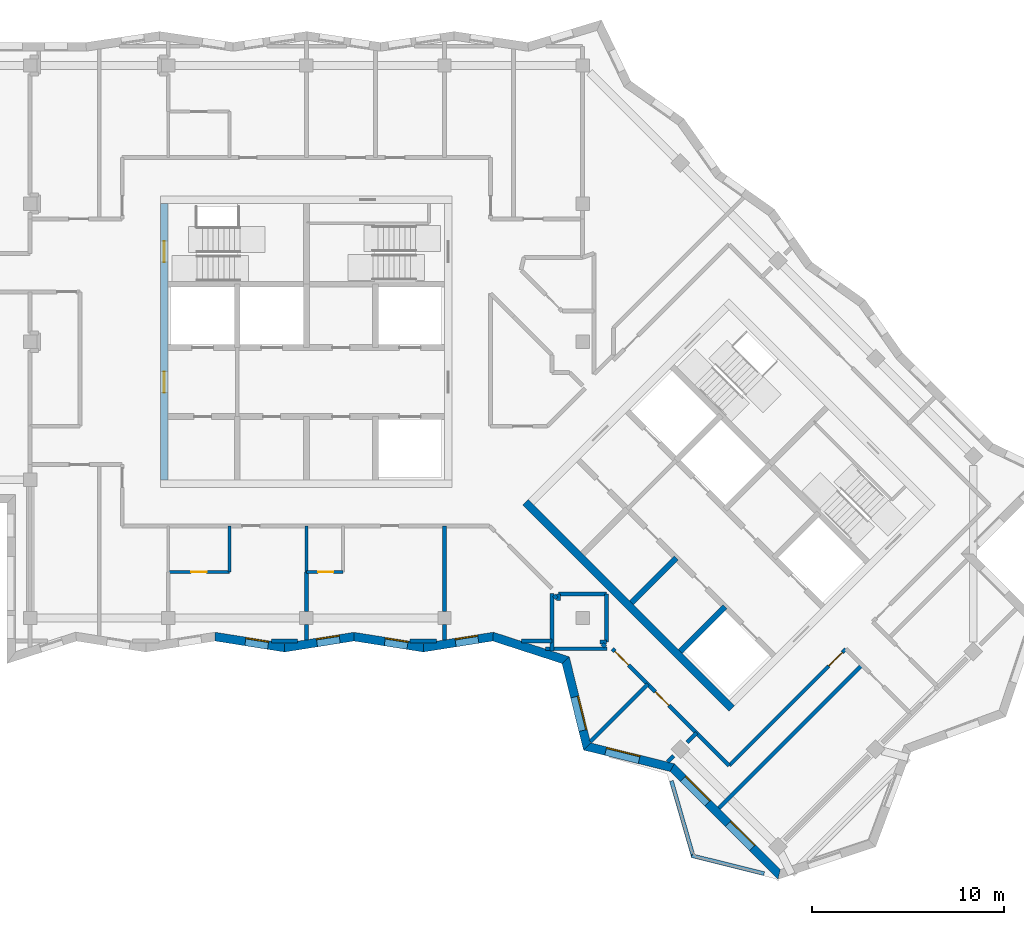
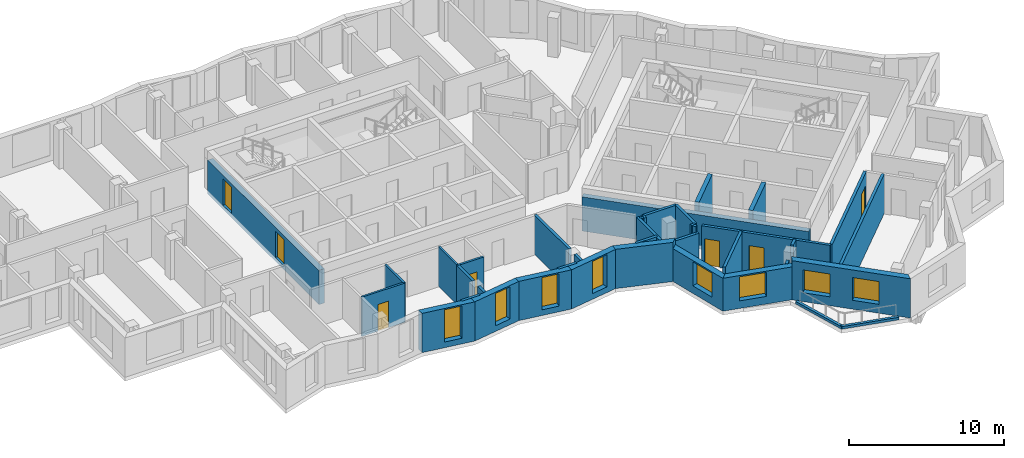
# One storey, part 3 of 12: 39 walls, 8 windows, 7 doors, 15 openings.
"""IFC4 building model written with IfcOpenShell, lengths in metres."""

from ifc_helpers import new_model, si_unit, direction, frame, frame_2d, origin, place, context, subcontext, project, spatial, polyline, rectangle, outline, extrude, material, layer, layer_set, type_object, element, fill, save


model = new_model("IFC4")

# Units and contexts
model_context = context("Model", 3, precision=1e-05, world=origin(), true_north=direction((0.0, 1.0)))
body_context = subcontext(model_context, "Body", "Model", "MODEL_VIEW")
ifc_project = project(units=[si_unit("LENGTHUNIT", "METRE"), si_unit("AREAUNIT", "SQUARE_METRE"), si_unit("VOLUMEUNIT", "CUBIC_METRE"), si_unit("PLANEANGLEUNIT", "RADIAN"), si_unit("MASSUNIT", "GRAM", prefix="KILO")], contexts=[model_context])

# Site, building, storey
site_placement = place(None, origin())
site = spatial("IfcSite", under=ifc_project, at=site_placement, CompositionType="ELEMENT")
building_placement = place(site_placement, origin())
building = spatial("IfcBuilding", under=site, at=building_placement, Name="Windrow Commons", CompositionType="ELEMENT")
storey_placement = place(building_placement, frame((0.0, 0.0, 274.4)))
storey = spatial("IfcBuildingStorey", under=building, at=storey_placement, Name="L75", CompositionType="ELEMENT", Elevation=274.4)

# Wall, opening, window
ifc_material_1 = material(Name="Brick masonry, red clay brick", Category="masonry")
ifc_layer_1 = layer(ifc_material_1, 0.45)
ifc_layer_set_1 = layer_set([ifc_layer_1], Name="Brick facade wall 450")
wall_type_1 = type_object("IfcWallType", Name="Brick facade wall 450", PredefinedType="SOLIDWALL", material=ifc_layer_set_1)
wall_1_placement = place(storey_placement, frame((60.048, 42.2278, 0.0), z_axis=(0.0, 0.0, 1.0), x_axis=(0.9877179637, -0.1562473175, 0.0)))
wall_1 = element("IfcWall", 1, at=wall_1_placement, inside=storey, type_object=wall_type_1, Name="Brick facade wall L75 39", PredefinedType="SOLIDWALL", context=body_context, shape_type="SweptSolid", body=[
    extrude(outline(polyline([(0.0356, -0.225), (3.6965, -0.225), (3.6254, 0.225), (-0.0356, 0.225), (0.0356, -0.225)])), origin(), (0.0, 0.0, 1.0), 3.1),
])
opening_1_placement = place(wall_1_placement, frame((1.5959, 0.0, 0.45)))
opening_1 = element("IfcOpeningElement", 2, at=opening_1_placement, cuts=wall_1, Name="Opening W7F", PredefinedType="OPENING", context=body_context, shape_type="SweptSolid", body=[
    extrude(rectangle(XDim=1.2, YDim=2.55, at=frame_2d((0.6, 1.275))), frame((0.0, 0.235, 0.0), z_axis=(0.0, -1.0, 0.0), x_axis=(1.0, 0.0, 0.0)), (0.0, 0.0, 1.0), 0.47),
])
ifc_material_2 = material(Name="Clear float glass in anodised aluminium frame", Category="aluminium")
window_type_1 = type_object("IfcWindowType", Name="Window W7 notch 1200x2550", PartitioningType="SINGLE_PANEL", PredefinedType="WINDOW", material=ifc_material_2)
window_1_placement = place(opening_1_placement, origin())
window_1 = element("IfcWindow", 3, at=window_1_placement, inside=storey, type_object=window_type_1, Name="Window L75 39.1", OverallHeight=2.55, OverallWidth=1.2, PartitioningType="SINGLE_PANEL", PredefinedType="WINDOW", context=body_context, shape_type="SweptSolid", body=[
    extrude(rectangle(XDim=1.2, YDim=2.55, at=frame_2d((0.6, 1.275))), frame((0.0, 0.205, 0.0), z_axis=(0.0, -1.0, 0.0), x_axis=(1.0, 0.0, 0.0)), (0.0, 0.0, 1.0), 0.06),
])
fill(opening_1, window_1)

wall_2_placement = place(storey_placement, frame((63.6639, 41.6558, 0.0), z_axis=(0.0, 0.0, 1.0), x_axis=(0.9877186305, 0.156243102, 0.0)))
wall_2 = element("IfcWall", 4, at=wall_2_placement, inside=storey, type_object=wall_type_1, Name="Brick facade wall L75 40", PredefinedType="SOLIDWALL", context=body_context, shape_type="SweptSolid", body=[
    extrude(outline(polyline([(-0.0356, -0.225), (3.6254, -0.225), (3.6965, 0.225), (0.0356, 0.225), (-0.0356, -0.225)])), origin(), (0.0, 0.0, 1.0), 3.1),
])
opening_2_placement = place(wall_2_placement, frame((1.7056, 0.0, 0.45)))
opening_2 = element("IfcOpeningElement", 5, at=opening_2_placement, cuts=wall_2, Name="Opening W7F", PredefinedType="OPENING", context=body_context, shape_type="SweptSolid", body=[
    extrude(rectangle(XDim=1.2, YDim=2.55, at=frame_2d((0.6, 1.275))), frame((0.0, 0.235, 0.0), z_axis=(0.0, -1.0, 0.0), x_axis=(1.0, 0.0, 0.0)), (0.0, 0.0, 1.0), 0.47),
])
window_2_placement = place(opening_2_placement, origin())
window_2 = element("IfcWindow", 6, at=window_2_placement, inside=storey, type_object=window_type_1, Name="Window L75 40.1", OverallHeight=2.55, OverallWidth=1.2, PartitioningType="SINGLE_PANEL", PredefinedType="WINDOW", context=body_context, shape_type="SweptSolid", body=[
    extrude(rectangle(XDim=1.2, YDim=2.55, at=frame_2d((0.6, 1.275))), frame((0.0, 0.205, 0.0), z_axis=(0.0, -1.0, 0.0), x_axis=(1.0, 0.0, 0.0)), (0.0, 0.0, 1.0), 0.06),
])
fill(opening_2, window_2)

wall_3_placement = place(storey_placement, frame((67.2799, 42.2278, 0.0), z_axis=(0.0, 0.0, 1.0), x_axis=(0.9877186305, -0.156243102, 0.0)))
wall_3 = element("IfcWall", 7, at=wall_3_placement, inside=storey, type_object=wall_type_1, Name="Brick facade wall L75 41", PredefinedType="SOLIDWALL", context=body_context, shape_type="SweptSolid", body=[
    extrude(outline(polyline([(0.0356, -0.225), (3.6965, -0.225), (3.6254, 0.225), (-0.0356, 0.225), (0.0356, -0.225)])), origin(), (0.0, 0.0, 1.0), 3.1),
])
opening_3_placement = place(wall_3_placement, frame((1.6297, 0.0, 0.45)))
opening_3 = element("IfcOpeningElement", 8, at=opening_3_placement, cuts=wall_3, Name="Opening W7F", PredefinedType="OPENING", context=body_context, shape_type="SweptSolid", body=[
    extrude(rectangle(XDim=1.2, YDim=2.55, at=frame_2d((0.6, 1.275))), frame((0.0, 0.235, 0.0), z_axis=(0.0, -1.0, 0.0), x_axis=(1.0, 0.0, 0.0)), (0.0, 0.0, 1.0), 0.47),
])
window_3_placement = place(opening_3_placement, origin())
window_3 = element("IfcWindow", 9, at=window_3_placement, inside=storey, type_object=window_type_1, Name="Window L75 41.1", OverallHeight=2.55, OverallWidth=1.2, PartitioningType="SINGLE_PANEL", PredefinedType="WINDOW", context=body_context, shape_type="SweptSolid", body=[
    extrude(rectangle(XDim=1.2, YDim=2.55, at=frame_2d((0.6, 1.275))), frame((0.0, 0.205, 0.0), z_axis=(0.0, -1.0, 0.0), x_axis=(1.0, 0.0, 0.0)), (0.0, 0.0, 1.0), 0.06),
])
fill(opening_3, window_3)

wall_4_placement = place(storey_placement, frame((70.8959, 41.6558, 0.0), z_axis=(0.0, 0.0, 1.0), x_axis=(0.9877170854, 0.1562528693, 0.0)))
wall_4 = element("IfcWall", 10, at=wall_4_placement, inside=storey, type_object=wall_type_1, Name="Brick facade wall L75 42", PredefinedType="SOLIDWALL", context=body_context, shape_type="SweptSolid", body=[
    extrude(outline(polyline([(-0.0356, -0.225), (3.6254, -0.225), (3.7332, 0.225), (0.0356, 0.225), (-0.0356, -0.225)])), origin(), (0.0, 0.0, 1.0), 3.1),
])
opening_4_placement = place(wall_4_placement, frame((1.6985, 0.0, 0.45)))
opening_4 = element("IfcOpeningElement", 11, at=opening_4_placement, cuts=wall_4, Name="Opening W7F", PredefinedType="OPENING", context=body_context, shape_type="SweptSolid", body=[
    extrude(rectangle(XDim=1.2, YDim=2.55, at=frame_2d((0.6, 1.275))), frame((0.0, 0.235, 0.0), z_axis=(0.0, -1.0, 0.0), x_axis=(1.0, 0.0, 0.0)), (0.0, 0.0, 1.0), 0.47),
])
window_4_placement = place(opening_4_placement, origin())
window_4 = element("IfcWindow", 12, at=window_4_placement, inside=storey, type_object=window_type_1, Name="Window L75 42.1", OverallHeight=2.55, OverallWidth=1.2, PartitioningType="SINGLE_PANEL", PredefinedType="WINDOW", context=body_context, shape_type="SweptSolid", body=[
    extrude(rectangle(XDim=1.2, YDim=2.55, at=frame_2d((0.6, 1.275))), frame((0.0, 0.205, 0.0), z_axis=(0.0, -1.0, 0.0), x_axis=(1.0, 0.0, 0.0)), (0.0, 0.0, 1.0), 0.06),
])
fill(opening_4, window_4)

# Wall
wall_5_placement = place(storey_placement, frame((74.53, 42.2307, 0.0), z_axis=(0.0, 0.0, 1.0), x_axis=(0.9512809881, -0.3083252855, 0.0)))
element("IfcWall", 13, at=wall_5_placement, inside=storey, type_object=wall_type_1, Name="Brick facade wall L75 43", PredefinedType="SOLIDWALL", context=body_context, shape_type="SweptSolid", body=[
    extrude(outline(polyline([(0.0539, -0.225), (3.8551, -0.225), (4.1052, 0.225), (-0.0539, 0.225), (0.0539, -0.225)])), origin(), (0.0, 0.0, 1.0), 3.1),
])

# Wall, opening, window
wall_6_placement = place(storey_placement, frame((78.3163, 41.0035, 0.0), z_axis=(0.0, 0.0, 1.0), x_axis=(0.2402612928, -0.9707082523, 0.0)))
wall_6 = element("IfcWall", 14, at=wall_6_placement, inside=storey, type_object=wall_type_1, Name="Brick facade wall L75 44", PredefinedType="SOLIDWALL", context=body_context, shape_type="SweptSolid", body=[
    extrude(outline(polyline([(0.1251, -0.225), (4.7719, -0.225), (4.5004, 0.225), (-0.1251, 0.225), (0.1251, -0.225)])), origin(), (0.0, 0.0, 1.0), 2.6),
])
opening_5_placement = place(wall_6_placement, frame((1.9731, 0.0, 0.6)))
opening_5 = element("IfcOpeningElement", 15, at=opening_5_placement, cuts=wall_6, Name="Opening W1L", PredefinedType="OPENING", context=body_context, shape_type="SweptSolid", body=[
    extrude(rectangle(XDim=1.8, YDim=1.9, at=frame_2d((0.9, 0.95))), frame((0.0, 0.235, 0.0), z_axis=(0.0, -1.0, 0.0), x_axis=(1.0, 0.0, 0.0)), (0.0, 0.0, 1.0), 0.47),
])
ifc_material_3 = material(Name="Clear float glass in anodised aluminium frame", Category="aluminium")
window_type_2 = type_object("IfcWindowType", Name="Window W1L bedroom 1800x1900", PartitioningType="SINGLE_PANEL", PredefinedType="WINDOW", material=ifc_material_3)
window_5_placement = place(opening_5_placement, origin())
window_5 = element("IfcWindow", 16, at=window_5_placement, inside=storey, type_object=window_type_2, Name="Window L75 44.1", OverallHeight=1.9, OverallWidth=1.8, PartitioningType="SINGLE_PANEL", PredefinedType="WINDOW", context=body_context, shape_type="SweptSolid", body=[
    extrude(rectangle(XDim=1.8, YDim=1.9, at=frame_2d((0.9, 0.95))), frame((0.0, 0.205, 0.0), z_axis=(0.0, -1.0, 0.0), x_axis=(1.0, 0.0, 0.0)), (0.0, 0.0, 1.0), 0.06),
])
fill(opening_5, window_5)

wall_7_placement = place(storey_placement, frame((79.4302, 36.5031, 0.0), z_axis=(0.0, 0.0, 1.0), x_axis=(0.9707070317, -0.2402662245, 0.0)))
wall_7 = element("IfcWall", 17, at=wall_7_placement, inside=storey, type_object=wall_type_1, Name="Brick facade wall L75 45", PredefinedType="SOLIDWALL", context=body_context, shape_type="SweptSolid", body=[
    extrude(outline(polyline([(-0.1357, -0.225), (4.5111, -0.225), (4.6363, 0.225), (0.1357, 0.225), (-0.1357, -0.225)])), origin(), (0.0, 0.0, 1.0), 2.6),
])
opening_6_placement = place(wall_7_placement, frame((1.0036, 0.0, 0.6)))
opening_6 = element("IfcOpeningElement", 18, at=opening_6_placement, cuts=wall_7, Name="Opening W1L", PredefinedType="OPENING", context=body_context, shape_type="SweptSolid", body=[
    extrude(rectangle(XDim=1.8, YDim=1.9, at=frame_2d((0.9, 0.95))), frame((0.0, 0.235, 0.0), z_axis=(0.0, -1.0, 0.0), x_axis=(1.0, 0.0, 0.0)), (0.0, 0.0, 1.0), 0.47),
])
window_6_placement = place(opening_6_placement, origin())
window_6 = element("IfcWindow", 19, at=window_6_placement, inside=storey, type_object=window_type_2, Name="Window L75 45.1", OverallHeight=1.9, OverallWidth=1.8, PartitioningType="SINGLE_PANEL", PredefinedType="WINDOW", context=body_context, shape_type="SweptSolid", body=[
    extrude(rectangle(XDim=1.8, YDim=1.9, at=frame_2d((0.9, 0.95))), frame((0.0, 0.205, 0.0), z_axis=(0.0, -1.0, 0.0), x_axis=(1.0, 0.0, 0.0)), (0.0, 0.0, 1.0), 0.06),
])
fill(opening_6, window_6)

# Wall, openings, windows
wall_8_placement = place(storey_placement, frame((83.8699, 35.4042, 0.0), z_axis=(0.0, 0.0, 1.0), x_axis=(0.7071067812, -0.7071067812, 0.0)))
wall_8 = element("IfcWall", 20, at=wall_8_placement, inside=storey, type_object=wall_type_1, Name="Brick facade wall L75 46", PredefinedType="SOLIDWALL", context=body_context, shape_type="SweptSolid", body=[
    extrude(outline(polyline([(0.0626, -0.225), (8.0207, -0.225), (7.7426, 0.225), (-0.0626, 0.225), (0.0626, -0.225)])), origin(), (0.0, 0.0, 1.0), 3.1),
])
opening_7_placement = place(wall_8_placement, frame((0.8103, 0.0, 0.7)))
opening_7 = element("IfcOpeningElement", 21, at=opening_7_placement, cuts=wall_8, Name="Opening W1M", PredefinedType="OPENING", context=body_context, shape_type="SweptSolid", body=[
    extrude(rectangle(XDim=1.8, YDim=1.8, at=frame_2d((0.9, 0.9))), frame((0.0, 0.235, 0.0), z_axis=(0.0, -1.0, 0.0), x_axis=(1.0, 0.0, 0.0)), (0.0, 0.0, 1.0), 0.47),
])
opening_8_placement = place(wall_8_placement, frame((4.1207, 0.0, 0.7)))
opening_8 = element("IfcOpeningElement", 22, at=opening_8_placement, cuts=wall_8, Name="Opening W1M", PredefinedType="OPENING", context=body_context, shape_type="SweptSolid", body=[
    extrude(rectangle(XDim=1.8, YDim=1.8, at=frame_2d((0.9, 0.9))), frame((0.0, 0.235, 0.0), z_axis=(0.0, -1.0, 0.0), x_axis=(1.0, 0.0, 0.0)), (0.0, 0.0, 1.0), 0.47),
])
ifc_material_4 = material(Name="Clear float glass in anodised aluminium frame", Category="aluminium")
window_type_3 = type_object("IfcWindowType", Name="Window W1M bedroom 1800x1800", PartitioningType="SINGLE_PANEL", PredefinedType="WINDOW", material=ifc_material_4)
window_7_placement = place(opening_7_placement, origin())
window_7 = element("IfcWindow", 23, at=window_7_placement, inside=storey, type_object=window_type_3, Name="Window L75 46.1", OverallHeight=1.8, OverallWidth=1.8, PartitioningType="SINGLE_PANEL", PredefinedType="WINDOW", context=body_context, shape_type="SweptSolid", body=[
    extrude(rectangle(XDim=1.8, YDim=1.8, at=frame_2d((0.9, 0.9))), frame((0.0, 0.205, 0.0), z_axis=(0.0, -1.0, 0.0), x_axis=(1.0, 0.0, 0.0)), (0.0, 0.0, 1.0), 0.06),
])
fill(opening_7, window_7)
window_8_placement = place(opening_8_placement, origin())
window_8 = element("IfcWindow", 24, at=window_8_placement, inside=storey, type_object=window_type_3, Name="Window L75 46.2", OverallHeight=1.8, OverallWidth=1.8, PartitioningType="SINGLE_PANEL", PredefinedType="WINDOW", context=body_context, shape_type="SweptSolid", body=[
    extrude(rectangle(XDim=1.8, YDim=1.8, at=frame_2d((0.9, 0.9))), frame((0.0, 0.205, 0.0), z_axis=(0.0, -1.0, 0.0), x_axis=(1.0, 0.0, 0.0)), (0.0, 0.0, 1.0), 0.06),
])
fill(opening_8, window_8)

# Wall, openings, doors
ifc_material_5 = material(Name="Blockwork partition", Category="masonry")
ifc_layer_2 = layer(ifc_material_5, 0.2)
ifc_layer_set_2 = layer_set([ifc_layer_2], Name="IW-CORRIDOR-200")
wall_type_2 = type_object("IfcWallType", Name="IW-CORRIDOR-200", PredefinedType="PARTITIONING", material=ifc_layer_set_2)
wall_9_placement = place(storey_placement, frame((80.7468, 41.5968, 0.0), z_axis=(0.0, 0.0, 1.0), x_axis=(0.7071067812, -0.7071067812, 0.0)))
wall_9 = element("IfcWall", 25, at=wall_9_placement, inside=storey, type_object=wall_type_2, Name="W-L75-W011", PredefinedType="PARTITIONING", context=body_context, shape_type="SweptSolid", body=[
    extrude(rectangle(XDim=8.6069, YDim=0.2, at=frame_2d((4.3034, 0.0))), origin(), (0.0, 0.0, 1.0), 3.1),
])
opening_9_placement = place(wall_9_placement, frame((0.1948, 0.0, 0.0)))
opening_9 = element("IfcOpeningElement", 26, at=opening_9_placement, cuts=wall_9, Name="Opening D310F", PredefinedType="OPENING", context=body_context, shape_type="SweptSolid", body=[
    extrude(rectangle(XDim=1.0, YDim=2.1, at=frame_2d((0.5, 1.05))), frame((0.0, 0.11, 0.0), z_axis=(0.0, -1.0, 0.0), x_axis=(1.0, 0.0, 0.0)), (0.0, 0.0, 1.0), 0.22),
])
opening_10_placement = place(wall_9_placement, frame((3.1754, 0.0, 0.0)))
opening_10 = element("IfcOpeningElement", 27, at=opening_10_placement, cuts=wall_9, Name="Opening D410F", PredefinedType="OPENING", context=body_context, shape_type="SweptSolid", body=[
    extrude(rectangle(XDim=1.0, YDim=2.1, at=frame_2d((0.5, 1.05))), frame((0.0, 0.11, 0.0), z_axis=(0.0, -1.0, 0.0), x_axis=(1.0, 0.0, 0.0)), (0.0, 0.0, 1.0), 0.22),
])
ifc_material_6 = material(Name="Timber door leaf", Category="wood")
door_type_1 = type_object("IfcDoorType", Name="DT-AMENITY-1000", OperationType="SINGLE_SWING_LEFT", PredefinedType="DOOR", material=ifc_material_6)
door_1_placement = place(opening_9_placement, origin())
door_1 = element("IfcDoor", 28, at=door_1_placement, inside=storey, type_object=door_type_1, Name="D-L75-D031", OperationType="SINGLE_SWING_LEFT", OverallHeight=2.1, OverallWidth=1.0, PredefinedType="DOOR", context=body_context, shape_type="SweptSolid", body=[
    extrude(rectangle(XDim=1.0, YDim=2.1, at=frame_2d((0.5, 1.05))), frame((0.0, 0.025, 0.0), z_axis=(0.0, -1.0, 0.0), x_axis=(1.0, 0.0, 0.0)), (0.0, 0.0, 1.0), 0.05),
])
fill(opening_9, door_1)
ifc_material_7 = material(Name="Timber door leaf", Category="wood")
door_type_2 = type_object("IfcDoorType", Name="DT-SERVICE-1000", OperationType="SINGLE_SWING_LEFT", PredefinedType="DOOR", material=ifc_material_7)
door_2_placement = place(opening_10_placement, origin())
door_2 = element("IfcDoor", 29, at=door_2_placement, inside=storey, type_object=door_type_2, Name="D-L75-D032", OperationType="SINGLE_SWING_LEFT", OverallHeight=2.1, OverallWidth=1.0, PredefinedType="DOOR", context=body_context, shape_type="SweptSolid", body=[
    extrude(rectangle(XDim=1.0, YDim=2.1, at=frame_2d((0.5, 1.05))), frame((0.0, 0.025, 0.0), z_axis=(0.0, -1.0, 0.0), x_axis=(1.0, 0.0, 0.0)), (0.0, 0.0, 1.0), 0.05),
])
fill(opening_10, door_2)

# Wall, opening, door
wall_10_placement = place(storey_placement, frame((86.8389, 35.5111, 0.0), z_axis=(0.0, 0.0, 1.0), x_axis=(0.707223053, 0.7069904903, 0.0)))
wall_10 = element("IfcWall", 30, at=wall_10_placement, inside=storey, type_object=wall_type_2, Name="W-L75-W012", PredefinedType="PARTITIONING", context=body_context, shape_type="SweptSolid", body=[
    extrude(rectangle(XDim=8.5998, YDim=0.2, at=frame_2d((4.2999, 0.0))), origin(), (0.0, 0.0, 1.0), 3.1),
])
opening_11_placement = place(wall_10_placement, frame((7.3425, 0.0, 0.0)))
opening_11 = element("IfcOpeningElement", 31, at=opening_11_placement, cuts=wall_10, Name="Opening D310F", PredefinedType="OPENING", context=body_context, shape_type="SweptSolid", body=[
    extrude(rectangle(XDim=1.0, YDim=2.1, at=frame_2d((0.5, 1.05))), frame((0.0, 0.11, 0.0), z_axis=(0.0, -1.0, 0.0), x_axis=(1.0, 0.0, 0.0)), (0.0, 0.0, 1.0), 0.22),
])
door_3_placement = place(opening_11_placement, origin())
door_3 = element("IfcDoor", 32, at=door_3_placement, inside=storey, type_object=door_type_1, Name="D-L75-D034", OperationType="SINGLE_SWING_RIGHT", OverallHeight=2.1, OverallWidth=1.0, PredefinedType="DOOR", context=body_context, shape_type="SweptSolid", body=[
    extrude(rectangle(XDim=1.0, YDim=2.1, at=frame_2d((0.5, 1.05))), frame((0.0, 0.025, 0.0), z_axis=(0.0, -1.0, 0.0), x_axis=(1.0, 0.0, 0.0)), (0.0, 0.0, 1.0), 0.05),
])
fill(opening_11, door_3)

# Walls
for number, where, z_axis, x_axis, name in (
    (33, (80.45, 41.952, 0.0), (0.0, 0.0, 1.0), (0.0, 1.0, 0.0), "W-L75-W069"),
    (34, (77.952, 44.45, 0.0), (0.0, 0.0, 1.0), (1.0, 0.0, 0.0), "W-L75-W070"),
):
    element("IfcWall", number, at=place(storey_placement, frame(where, z_axis=z_axis, x_axis=x_axis)), inside=storey, type_object=wall_type_2, Name=name, PredefinedType="PARTITIONING", context=body_context, shape_type="SweptSolid", body=[
        extrude(rectangle(XDim=2.498, YDim=0.2, at=frame_2d((1.249, 0.0))), origin(), (0.0, 0.0, 1.0), 3.1),
    ])
for number, where, z_axis, x_axis, name in (
    (35, (80.2205, 41.8545, 0.0), (0.0, 0.0, 1.0), (0.7068844555, -0.707329037, 0.0), "W-L75-W133"),
    (36, (77.6954, 44.3795, 0.0), (0.0, 0.0, 1.0), (0.707329037, -0.7068844555, 0.0), "W-L75-W134"),
):
    element("IfcWall", number, at=place(storey_placement, frame(where, z_axis=z_axis, x_axis=x_axis)), inside=storey, type_object=wall_type_2, Name=name, PredefinedType="PARTITIONING", context=body_context, shape_type="SweptSolid", body=[
        extrude(rectangle(XDim=0.2249, YDim=0.2, at=frame_2d((0.1124, 0.0))), origin(), (0.0, 0.0, 1.0), 3.1),
    ])
for number, where, z_axis, x_axis, name in (
    (37, (80.118, 41.95, 0.0), (0.0, 0.0, 1.0), (1.0, 0.0, 0.0), "W-L75-W156"),
    (38, (77.95, 44.118, 0.0), (0.0, 0.0, 1.0), (0.0, 1.0, 0.0), "W-L75-W157"),
):
    element("IfcWall", number, at=place(storey_placement, frame(where, z_axis=z_axis, x_axis=x_axis)), inside=storey, type_object=wall_type_2, Name=name, PredefinedType="PARTITIONING", context=body_context, shape_type="SweptSolid", body=[
        extrude(rectangle(XDim=0.332, YDim=0.2, at=frame_2d((0.166, 0.0))), origin(), (0.0, 0.0, 1.0), 3.1),
    ])

# Wall, opening, door
ifc_material_8 = material(Name="Blockwork partition", Category="masonry")
ifc_layer_3 = layer(ifc_material_8, 0.15)
ifc_layer_set_3 = layer_set([ifc_layer_3], Name="IW-ENSUITE-150")
wall_type_3 = type_object("IfcWallType", Name="IW-ENSUITE-150", PredefinedType="PARTITIONING", material=ifc_layer_set_3)
wall_11_placement = place(storey_placement, frame((57.6, 45.6, 0.0), z_axis=(0.0, 0.0, 1.0), x_axis=(1.0, 0.0, 0.0)))
wall_11 = element("IfcWall", 39, at=wall_11_placement, inside=storey, type_object=wall_type_3, Name="W-L75-W054", PredefinedType="PARTITIONING", context=body_context, shape_type="SweptSolid", body=[
    extrude(rectangle(XDim=3.2, YDim=0.15, at=frame_2d((1.6, 0.0))), origin(), (0.0, 0.0, 1.0), 3.1),
])
opening_12_placement = place(wall_11_placement, frame((1.1958, 0.0, 0.0)))
opening_12 = element("IfcOpeningElement", 40, at=opening_12_placement, cuts=wall_11, Name="Opening D208N", PredefinedType="OPENING", context=body_context, shape_type="SweptSolid", body=[
    extrude(rectangle(XDim=0.8, YDim=2.1, at=frame_2d((0.4, 1.05))), frame((0.0, 0.085, 0.0), z_axis=(0.0, -1.0, 0.0), x_axis=(1.0, 0.0, 0.0)), (0.0, 0.0, 1.0), 0.17),
])
ifc_material_9 = material(Name="Timber door leaf", Category="wood")
door_type_3 = type_object("IfcDoorType", Name="DT-ENSUITE-800", OperationType="SINGLE_SWING_LEFT", PredefinedType="DOOR", material=ifc_material_9)
door_4_placement = place(opening_12_placement, origin())
door_4 = element("IfcDoor", 41, at=door_4_placement, inside=storey, type_object=door_type_3, Name="D-L75-D024", OperationType="SINGLE_SWING_RIGHT", OverallHeight=2.1, OverallWidth=0.8, PredefinedType="DOOR", context=body_context, shape_type="SweptSolid", body=[
    extrude(rectangle(XDim=0.8, YDim=2.1, at=frame_2d((0.4, 1.05))), frame((0.0, 0.025, 0.0), z_axis=(0.0, -1.0, 0.0), x_axis=(1.0, 0.0, 0.0)), (0.0, 0.0, 1.0), 0.05),
])
fill(opening_12, door_4)

# Walls
for number, where, z_axis, x_axis, name in (
    (42, (60.8, 45.6, 0.0), (0.0, 0.0, 1.0), (0.0, 1.0, 0.0), "W-L75-W072"),
    (43, (64.8, 45.6, 0.0), (0.0, 0.0, 1.0), (0.0, 1.0, 0.0), "W-L75-W075"),
):
    element("IfcWall", number, at=place(storey_placement, frame(where, z_axis=z_axis, x_axis=x_axis)), inside=storey, type_object=wall_type_3, Name=name, PredefinedType="PARTITIONING", context=body_context, shape_type="SweptSolid", body=[
        extrude(rectangle(XDim=2.4, YDim=0.15, at=frame_2d((1.2, 0.0))), origin(), (0.0, 0.0, 1.0), 3.1),
    ])

# Wall, opening, door
wall_12_placement = place(storey_placement, frame((64.8, 45.6, 0.0), z_axis=(0.0, 0.0, 1.0), x_axis=(1.0, 0.0, 0.0)))
wall_12 = element("IfcWall", 44, at=wall_12_placement, inside=storey, type_object=wall_type_3, Name="W-L75-W095", PredefinedType="PARTITIONING", context=body_context, shape_type="SweptSolid", body=[
    extrude(rectangle(XDim=1.9, YDim=0.15, at=frame_2d((0.95, 0.0))), origin(), (0.0, 0.0, 1.0), 3.1),
])
opening_13_placement = place(wall_12_placement, frame((0.6069, 0.0, 0.0)))
opening_13 = element("IfcOpeningElement", 45, at=opening_13_placement, cuts=wall_12, Name="Opening D208N", PredefinedType="OPENING", context=body_context, shape_type="SweptSolid", body=[
    extrude(rectangle(XDim=0.8, YDim=2.1, at=frame_2d((0.4, 1.05))), frame((0.0, 0.085, 0.0), z_axis=(0.0, -1.0, 0.0), x_axis=(1.0, 0.0, 0.0)), (0.0, 0.0, 1.0), 0.17),
])
door_5_placement = place(opening_13_placement, origin())
door_5 = element("IfcDoor", 46, at=door_5_placement, inside=storey, type_object=door_type_3, Name="D-L75-D026", OperationType="SINGLE_SWING_RIGHT", OverallHeight=2.1, OverallWidth=0.8, PredefinedType="DOOR", context=body_context, shape_type="SweptSolid", body=[
    extrude(rectangle(XDim=0.8, YDim=2.1, at=frame_2d((0.4, 1.05))), frame((0.0, 0.025, 0.0), z_axis=(0.0, -1.0, 0.0), x_axis=(1.0, 0.0, 0.0)), (0.0, 0.0, 1.0), 0.05),
])
fill(opening_13, door_5)

# Walls
ifc_material_10 = material(Name="Blockwork partition", Category="masonry")
ifc_layer_4 = layer(ifc_material_10, 0.2)
ifc_layer_set_4 = layer_set([ifc_layer_4], Name="IW-PARTY-200")
wall_type_4 = type_object("IfcWallType", Name="IW-PARTY-200", PredefinedType="PARTITIONING", material=ifc_layer_set_4)
wall_13_placement = place(storey_placement, frame((86.3056, 33.2867, 0.0), z_axis=(0.0, 0.0, 1.0), x_axis=(0.7071020418, 0.7071115206, 0.0)))
element("IfcWall", 47, at=wall_13_placement, inside=storey, type_object=wall_type_4, Name="W-L75-W005", PredefinedType="PARTITIONING", context=body_context, shape_type="SweptSolid", body=[
    extrude(rectangle(XDim=10.5498, YDim=0.2, at=frame_2d((5.2749, 0.0))), origin(), (0.0, 0.0, 1.0), 3.1),
])
wall_14_placement = place(storey_placement, frame((72.0, 43.55, 0.0), z_axis=(0.0, 0.0, 1.0), x_axis=(0.0, 1.0, 0.0)))
element("IfcWall", 48, at=wall_14_placement, inside=storey, type_object=wall_type_4, Name="W-L75-W040", PredefinedType="PARTITIONING", context=body_context, shape_type="SweptSolid", body=[
    extrude(rectangle(XDim=4.45, YDim=0.2, at=frame_2d((2.225, 0.0))), origin(), (0.0, 0.0, 1.0), 3.1),
])
wall_15_placement = place(storey_placement, frame((79.5981, 36.7615, 0.0), z_axis=(0.0, 0.0, 1.0), x_axis=(0.7071067812, 0.7071067812, 0.0)))
element("IfcWall", 49, at=wall_15_placement, inside=storey, type_object=wall_type_4, Name="W-L75-W042", PredefinedType="PARTITIONING", context=body_context, shape_type="SweptSolid", body=[
    extrude(rectangle(XDim=4.2359, YDim=0.2, at=frame_2d((2.1179, 0.0))), origin(), (0.0, 0.0, 1.0), 3.1),
])
wall_16_placement = place(storey_placement, frame((77.2555, 41.6, 0.0), z_axis=(0.0, 0.0, 1.0), x_axis=(1.0, 0.0, 0.0)))
element("IfcWall", 50, at=wall_16_placement, inside=storey, type_object=wall_type_4, Name="W-L75-W052", PredefinedType="PARTITIONING", context=body_context, shape_type="SweptSolid", body=[
    extrude(rectangle(XDim=3.2125, YDim=0.2, at=frame_2d((1.6062, 0.0))), origin(), (0.0, 0.0, 1.0), 2.6),
])
wall_17_placement = place(storey_placement, frame((77.6, 41.4721, 0.0), z_axis=(0.0, 0.0, 1.0), x_axis=(0.0, 1.0, 0.0)))
element("IfcWall", 51, at=wall_17_placement, inside=storey, type_object=wall_type_4, Name="W-L75-W062", PredefinedType="PARTITIONING", context=body_context, shape_type="SweptSolid", body=[
    extrude(rectangle(XDim=2.9959, YDim=0.2, at=frame_2d((1.4979, 0.0))), origin(), (0.0, 0.0, 1.0), 3.1),
])
wall_18_placement = place(storey_placement, frame((64.8, 43.55, 0.0), z_axis=(0.0, 0.0, 1.0), x_axis=(0.0, 1.0, 0.0)))
element("IfcWall", 52, at=wall_18_placement, inside=storey, type_object=wall_type_4, Name="W-L75-W087", PredefinedType="PARTITIONING", context=body_context, shape_type="SweptSolid", body=[
    extrude(rectangle(XDim=2.05, YDim=0.2, at=frame_2d((1.025, 0.0))), origin(), (0.0, 0.0, 1.0), 3.1),
])
wall_19_placement = place(storey_placement, frame((76.0214, 42.0, 0.0), z_axis=(0.0, 0.0, 1.0), x_axis=(1.0, 0.0, 0.0)))
element("IfcWall", 53, at=wall_19_placement, inside=storey, type_object=wall_type_4, Name="W-L75-W101", PredefinedType="PARTITIONING", context=body_context, shape_type="SweptSolid", body=[
    extrude(rectangle(XDim=1.5786, YDim=0.2, at=frame_2d((0.7893, 0.0))), origin(), (0.0, 0.0, 1.0), 3.1),
])
for number, where, z_axis, x_axis, name in (
    (54, (62.9781, 42.0, 0.0), (0.0, 0.0, 1.0), (1.0, 0.0, 0.0), "W-L75-W104"),
    (55, (70.2101, 42.0, 0.0), (0.0, 0.0, 1.0), (1.0, 0.0, 0.0), "W-L75-W106"),
):
    element("IfcWall", number, at=place(storey_placement, frame(where, z_axis=z_axis, x_axis=x_axis)), inside=storey, type_object=wall_type_4, Name=name, PredefinedType="PARTITIONING", context=body_context, shape_type="SweptSolid", body=[
        extrude(rectangle(XDim=1.3717, YDim=0.2, at=frame_2d((0.6858, 0.0))), origin(), (0.0, 0.0, 1.0), 3.1),
    ])
wall_20_placement = place(storey_placement, frame((72.0, 42.0582, 0.0), z_axis=(0.0, 0.0, 1.0), x_axis=(0.0, 1.0, 0.0)))
element("IfcWall", 56, at=wall_20_placement, inside=storey, type_object=wall_type_4, Name="W-L75-W119", PredefinedType="PARTITIONING", context=body_context, shape_type="SweptSolid", body=[
    extrude(rectangle(XDim=0.7918, YDim=0.2, at=frame_2d((0.3959, 0.0))), origin(), (0.0, 0.0, 1.0), 3.1),
])
wall_21_placement = place(storey_placement, frame((64.8, 42.0633, 0.0), z_axis=(0.0, 0.0, 1.0), x_axis=(0.0, 1.0, 0.0)))
element("IfcWall", 57, at=wall_21_placement, inside=storey, type_object=wall_type_4, Name="W-L75-W120", PredefinedType="PARTITIONING", context=body_context, shape_type="SweptSolid", body=[
    extrude(rectangle(XDim=0.7867, YDim=0.2, at=frame_2d((0.3933, 0.0))), origin(), (0.0, 0.0, 1.0), 3.1),
])
wall_22_placement = place(storey_placement, frame((84.6408, 36.7132, 0.0), z_axis=(0.0, 0.0, 1.0), x_axis=(0.7071067812, 0.7071067812, 0.0)))
element("IfcWall", 58, at=wall_22_placement, inside=storey, type_object=wall_type_4, Name="W-L75-W122", PredefinedType="PARTITIONING", context=body_context, shape_type="SweptSolid", body=[
    extrude(rectangle(XDim=0.7043, YDim=0.2, at=frame_2d((0.3522, 0.0))), origin(), (0.0, 0.0, 1.0), 3.1),
])
wall_23_placement = place(storey_placement, frame((83.6244, 35.6967, 0.0), z_axis=(0.0, 0.0, 1.0), x_axis=(0.7069950475, 0.7072184972, 0.0)))
element("IfcWall", 59, at=wall_23_placement, inside=storey, type_object=wall_type_4, Name="W-L75-W152", PredefinedType="PARTITIONING", context=body_context, shape_type="SweptSolid", body=[
    extrude(rectangle(XDim=0.4475, YDim=0.2, at=frame_2d((0.2238, 0.0))), origin(), (0.0, 0.0, 1.0), 2.6),
])

# Wall, openings, doors
ifc_material_11 = material(Name="Concrete C40/50", Category="concrete")
ifc_layer_5 = layer(ifc_material_11, 0.4)
ifc_layer_set_5 = layer_set([ifc_layer_5], Name="RC CORE WALL 400 C40/50")
wall_type_5 = type_object("IfcWallType", Name="RC CORE WALL 400 C40/50", PredefinedType="SHEAR", material=ifc_layer_set_5)
wall_24_placement = place(storey_placement, frame((57.4, 50.4, -0.3), z_axis=(0.0, 0.0, 1.0), x_axis=(0.0, 1.0, 0.0)))
wall_24 = element("IfcWall", 60, at=wall_24_placement, inside=storey, type_object=wall_type_5, Name="Core A wall outer-W", PredefinedType="SHEAR", context=body_context, shape_type="SweptSolid", body=[
    extrude(rectangle(XDim=14.4, YDim=0.4, at=frame_2d((7.2, 0.0))), origin(), (0.0, 0.0, 1.0), 2.7),
])
opening_14_placement = place(wall_24_placement, frame((4.55, 0.0, 0.3)))
opening_14 = element("IfcOpeningElement", 61, at=opening_14_placement, cuts=wall_24, Name="Opening D6", PredefinedType="OPENING", context=body_context, shape_type="SweptSolid", body=[
    extrude(rectangle(XDim=1.1, YDim=2.1, at=frame_2d((0.55, 1.05))), frame((0.0, 0.21, 0.0), z_axis=(0.0, -1.0, 0.0), x_axis=(1.0, 0.0, 0.0)), (0.0, 0.0, 1.0), 0.42),
])
opening_15_placement = place(wall_24_placement, frame((11.35, 0.0, 0.3)))
opening_15 = element("IfcOpeningElement", 62, at=opening_15_placement, cuts=wall_24, Name="Opening D7", PredefinedType="OPENING", context=body_context, shape_type="SweptSolid", body=[
    extrude(rectangle(XDim=1.1, YDim=2.1, at=frame_2d((0.55, 1.05))), frame((0.0, 0.21, 0.0), z_axis=(0.0, -1.0, 0.0), x_axis=(1.0, 0.0, 0.0)), (0.0, 0.0, 1.0), 0.42),
])
ifc_material_12 = material(Name="Steel fire door leaf", Category="steel")
door_type_4 = type_object("IfcDoorType", Name="Core lobby door 1100", OperationType="SINGLE_SWING_LEFT", PredefinedType="DOOR", material=ifc_material_12)
door_6_placement = place(opening_14_placement, origin())
door_6 = element("IfcDoor", 63, at=door_6_placement, inside=storey, type_object=door_type_4, Name="Lift lobby door", OperationType="DOUBLE_DOOR_SINGLE_SWING", OverallHeight=2.1, OverallWidth=1.1, PredefinedType="DOOR", context=body_context, shape_type="SweptSolid", body=[
    extrude(rectangle(XDim=1.1, YDim=2.1, at=frame_2d((0.55, 1.05))), frame((0.0, 0.025, 0.0), z_axis=(0.0, -1.0, 0.0), x_axis=(1.0, 0.0, 0.0)), (0.0, 0.0, 1.0), 0.05),
])
fill(opening_14, door_6)
ifc_material_13 = material(Name="Steel fire door leaf", Category="steel")
door_type_5 = type_object("IfcDoorType", Name="Stair door 1100", OperationType="SINGLE_SWING_LEFT", PredefinedType="DOOR", material=ifc_material_13)
door_7_placement = place(opening_15_placement, origin())
door_7 = element("IfcDoor", 64, at=door_7_placement, inside=storey, type_object=door_type_5, Name="Stair door", OperationType="SINGLE_SWING_LEFT", OverallHeight=2.1, OverallWidth=1.1, PredefinedType="DOOR", context=body_context, shape_type="SweptSolid", body=[
    extrude(rectangle(XDim=1.1, YDim=2.1, at=frame_2d((0.55, 1.05))), frame((0.0, 0.025, 0.0), z_axis=(0.0, -1.0, 0.0), x_axis=(1.0, 0.0, 0.0)), (0.0, 0.0, 1.0), 0.05),
])
fill(opening_15, door_7)

# Walls
wall_25_placement = place(storey_placement, frame((76.2302, 49.2312, -0.3), z_axis=(0.0, 0.0, 1.0), x_axis=(0.7071034917, -0.7071100706, 0.0)))
element("IfcWall", 65, at=wall_25_placement, inside=storey, type_object=wall_type_5, Name="Core B wall outer-S", PredefinedType="SHEAR", context=body_context, shape_type="SweptSolid", body=[
    extrude(rectangle(XDim=15.2, YDim=0.4, at=frame_2d((7.6, 0.0))), origin(), (0.0, 0.0, 1.0), 2.7),
])
ifc_material_14 = material(Name="Concrete C40/50", Category="concrete")
ifc_layer_6 = layer(ifc_material_14, 0.3)
ifc_layer_set_6 = layer_set([ifc_layer_6], Name="RC SHAFT WALL 300 C40/50")
wall_type_6 = type_object("IfcWallType", Name="RC SHAFT WALL 300 C40/50", PredefinedType="SOLIDWALL", material=ifc_layer_set_6)
for number, where, z_axis, x_axis, name in (
    (66, (81.7456, 43.9986, 0.0), (0.0, 0.0, 1.0), (0.7071067812, 0.7071067812, 0.0), "Core B wall shaft-S2"),
    (67, (84.2912, 41.453, 0.0), (0.0, 0.0, 1.0), (0.7071067812, 0.7071067812, 0.0), "Core B wall shaft-S3"),
):
    element("IfcWall", number, at=place(storey_placement, frame(where, z_axis=z_axis, x_axis=x_axis)), inside=storey, type_object=wall_type_6, Name=name, PredefinedType="SOLIDWALL", context=body_context, shape_type="SweptSolid", body=[
        extrude(rectangle(XDim=3.2999, YDim=0.3, at=frame_2d((1.65, 0.0))), origin(), (0.0, 0.0, 1.0), 3.1),
    ])
ifc_material_15 = material(Name="Brick masonry, red clay brick", Category="masonry")
ifc_layer_7 = layer(ifc_material_15, 0.2)
ifc_layer_set_7 = layer_set([ifc_layer_7], Name="Terrace edge parapet 200")
wall_type_7 = type_object("IfcWallType", Name="Terrace edge parapet 200", PredefinedType="PARAPET", material=ifc_layer_set_7)
wall_26_placement = place(storey_placement, frame((84.9794, 30.731, 0.0), z_axis=(0.0, 0.0, 1.0), x_axis=(-0.2777555576, 0.9606517841, 0.0)))
element("IfcWall", 68, at=wall_26_placement, inside=storey, type_object=wall_type_7, Name="Pleat tip roof kerb L74 1", PredefinedType="PARAPET", context=body_context, shape_type="SweptSolid", body=[
    extrude(rectangle(XDim=4.1418, YDim=0.2, at=frame_2d((2.0709, 0.0))), origin(), (0.0, 0.0, 1.0), 0.2),
])
wall_27_placement = place(storey_placement, frame((88.6582, 29.8774, 0.0), z_axis=(0.0, 0.0, 1.0), x_axis=(-0.9704193156, 0.2414256654, 0.0)))
element("IfcWall", 69, at=wall_27_placement, inside=storey, type_object=wall_type_7, Name="Pleat tip roof kerb L74 2", PredefinedType="PARAPET", context=body_context, shape_type="SweptSolid", body=[
    extrude(rectangle(XDim=3.8799, YDim=0.2, at=frame_2d((1.94, 0.0))), origin(), (0.0, 0.0, 1.0), 0.2),
])

save(model, "model.ifc")
